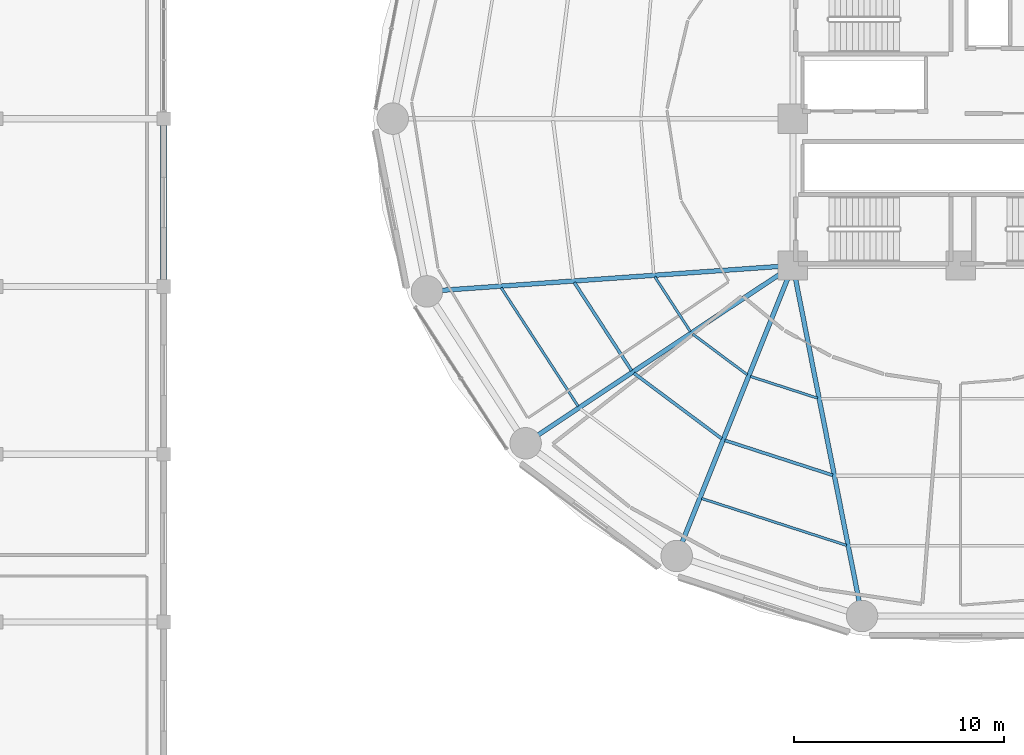
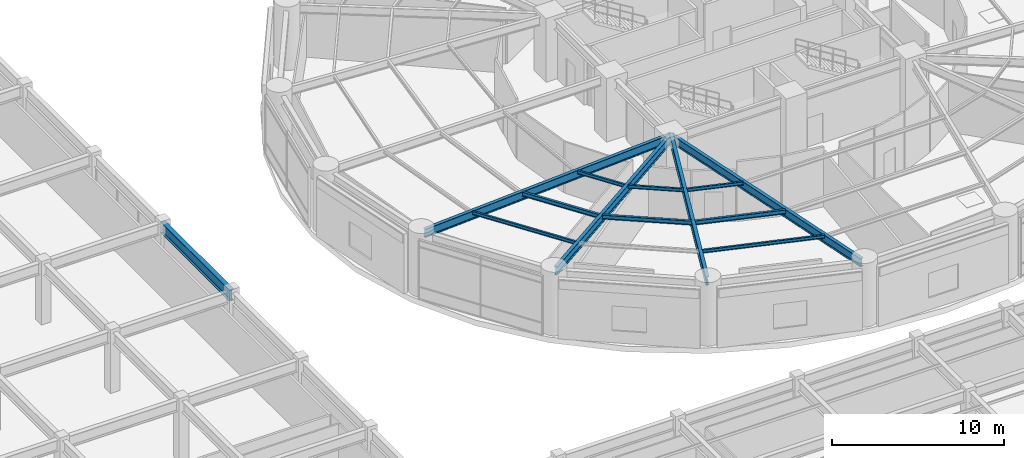
# One storey, part 10 of 46: 13 beams.
"""IFC4 building model written with IfcOpenShell, lengths in metres."""

from ifc_helpers import new_model, si_unit, direction, frame, origin, origin_2d, place, context, subcontext, project, spatial, i_section, extrude, material, material_profile, profile_set, type_object, element, save


model = new_model("IFC4")

# Units and contexts
model_context = context("Model", 3, precision=1e-05, world=origin(), true_north=direction((0.0, 1.0)))
body_context = subcontext(model_context, "Body", "Model", "MODEL_VIEW")
ifc_project = project(units=[si_unit("LENGTHUNIT", "METRE"), si_unit("AREAUNIT", "SQUARE_METRE"), si_unit("VOLUMEUNIT", "CUBIC_METRE"), si_unit("PLANEANGLEUNIT", "RADIAN"), si_unit("MASSUNIT", "GRAM", prefix="KILO")], contexts=[model_context])

# Site, building, storey
site_placement = place(None, origin())
site = spatial("IfcSite", under=ifc_project, at=site_placement, CompositionType="ELEMENT")
building_placement = place(site_placement, origin())
building = spatial("IfcBuilding", under=site, at=building_placement, Name="Kelanora Arch Commons", CompositionType="ELEMENT")
storey_placement = place(building_placement, frame((0.0, 0.0, 18.0)))
storey = spatial("IfcBuildingStorey", under=building, at=storey_placement, Name="L04", CompositionType="ELEMENT", Elevation=18.0)

# Beams
ifc_material = material(Name="Steel S355", Category="steel")
ifc_material_profile_1 = material_profile(ifc_material, i_section(OverallWidth=0.14990234375, OverallDepth=0.300048828125, WebThickness=0.007080078125, FlangeThickness=0.0107421875, FilletRadius=0.014892578125, at=origin_2d()), Name="IPE300")
ifc_profile_set_1 = profile_set([ifc_material_profile_1], Name="Steel S355")
beam_type_1 = type_object("IfcBeamType", Name="BM-JST-01", PredefinedType="JOIST", material=ifc_profile_set_1)
beam_1_placement = place(storey_placement, frame((55.578125, 50.187255859375, 4.090087890625), z_axis=(0.544551588245, -0.838727350061, 0.0), x_axis=(0.838727350061, 0.544551588245, 0.0)))
element("IfcBeam", 1, at=beam_1_placement, inside=storey, type_object=beam_type_1, Name="Secondary Chord Joist BJB-20 L04", PredefinedType="JOIST", context=body_context, shape_type="SweptSolid", body=[
    extrude(i_section(OverallWidth=0.14990234375, OverallDepth=0.300048828125, WebThickness=0.007080078125, FlangeThickness=0.0107421875, FilletRadius=0.014892578125, at=origin_2d()), origin(), (0.0, 0.0, 1.0), 5.010986328125),
])
beam_2_placement = place(storey_placement, frame((58.42138671875, 45.8623046875, 4.090087890625), z_axis=(0.801478251559, -0.598023922831, 0.0), x_axis=(0.598023922831, 0.801478251559, 0.0)))
element("IfcBeam", 2, at=beam_2_placement, inside=storey, type_object=beam_type_1, Name="Secondary Chord Joist BJB-22 L04", PredefinedType="JOIST", context=body_context, shape_type="SweptSolid", body=[
    extrude(i_section(OverallWidth=0.14990234375, OverallDepth=0.300048828125, WebThickness=0.007080078125, FlangeThickness=0.0107421875, FilletRadius=0.014892578125, at=origin_2d()), origin(), (0.0, 0.0, 1.0), 5.223388671875),
])
beam_3_placement = place(storey_placement, frame((62.7568359375, 42.66162109375, 4.090087890625), z_axis=(0.951412209627, -0.307920131482, 0.0), x_axis=(0.307920131482, 0.951412209627, 0.0)))
element("IfcBeam", 3, at=beam_3_placement, inside=storey, type_object=beam_type_1, Name="Secondary Chord Joist BJB-24 L04", PredefinedType="JOIST", context=body_context, shape_type="SweptSolid", body=[
    extrude(i_section(OverallWidth=0.14990234375, OverallDepth=0.300048828125, WebThickness=0.007080078125, FlangeThickness=0.0107421875, FilletRadius=0.014892578125, at=origin_2d()), origin(), (0.0, 0.0, 1.0), 5.4033203125),
])
ifc_material_profile_2 = material_profile(ifc_material, i_section(OverallWidth=0.1201171875, OverallDepth=0.239990234375, WebThickness=0.006103515625, FlangeThickness=0.009765625, FilletRadius=0.014892578125, at=origin_2d()), Name="IPE240")
ifc_profile_set_2 = profile_set([ifc_material_profile_2], Name="Steel S355")
beam_type_2 = type_object("IfcBeamType", Name="BM-JST-02", PredefinedType="JOIST", material=ifc_profile_set_2)
beam_4_placement = place(storey_placement, frame((59.41650390625, 50.458984375, 4.1201171875), z_axis=(0.544591105858, -0.838701691557, 0.0), x_axis=(0.838701691557, 0.544591105858, 0.0)))
element("IfcBeam", 4, at=beam_4_placement, inside=storey, type_object=beam_type_2, Name="Secondary Chord Joist BJA-20 L04", PredefinedType="JOIST", context=body_context, shape_type="SweptSolid", body=[
    extrude(i_section(OverallWidth=0.1201171875, OverallDepth=0.239990234375, WebThickness=0.006103515625, FlangeThickness=0.009765625, FilletRadius=0.014892578125, at=origin_2d()), origin(), (0.0, 0.0, 1.0), 3.111328125),
])
beam_5_placement = place(storey_placement, frame((52.0888671875, 49.940185546875, 4.1201171875), z_axis=(0.544550165372, -0.838728273873, 0.0), x_axis=(0.838728273873, 0.544550165372, 0.0)))
element("IfcBeam", 5, at=beam_5_placement, inside=storey, type_object=beam_type_2, Name="Secondary Chord Joist BJC-20 L04", PredefinedType="JOIST", context=body_context, shape_type="SweptSolid", body=[
    extrude(i_section(OverallWidth=0.1201171875, OverallDepth=0.239990234375, WebThickness=0.006103515625, FlangeThickness=0.009765625, FilletRadius=0.014892578125, at=origin_2d()), origin(), (0.0, 0.0, 1.0), 6.738037109375),
])
beam_6_placement = place(storey_placement, frame((61.22509765625, 47.727294921875, 4.1201171875), z_axis=(0.801513822608, -0.59797624716, 0.0), x_axis=(0.59797624716, 0.801513822608, 0.0)))
element("IfcBeam", 6, at=beam_6_placement, inside=storey, type_object=beam_type_2, Name="Secondary Chord Joist BJA-22 L04", PredefinedType="JOIST", context=body_context, shape_type="SweptSolid", body=[
    extrude(i_section(OverallWidth=0.1201171875, OverallDepth=0.239990234375, WebThickness=0.006103515625, FlangeThickness=0.009765625, FilletRadius=0.014892578125, at=origin_2d()), origin(), (0.0, 0.0, 1.0), 3.245849609375),
])
beam_7_placement = place(storey_placement, frame((63.9755859375, 45.709228515625, 4.1201171875), z_axis=(0.951422608074, -0.30788800049, 0.0), x_axis=(0.30788800049, 0.951422608074, 0.0)))
element("IfcBeam", 7, at=beam_7_placement, inside=storey, type_object=beam_type_2, Name="Secondary Chord Joist BJA-24 L04", PredefinedType="JOIST", context=body_context, shape_type="SweptSolid", body=[
    extrude(i_section(OverallWidth=0.1201171875, OverallDepth=0.239990234375, WebThickness=0.006103515625, FlangeThickness=0.009765625, FilletRadius=0.014892578125, at=origin_2d()), origin(), (0.0, 0.0, 1.0), 3.359619140625),
])
beam_8_placement = place(storey_placement, frame((61.64892578125, 39.890625, 4.1201171875), z_axis=(0.951410915705, -0.307924129418, 0.0), x_axis=(0.307924129418, 0.951410915705, 0.0)))
element("IfcBeam", 8, at=beam_8_placement, inside=storey, type_object=beam_type_2, Name="Secondary Chord Joist BJC-24 L04", PredefinedType="JOIST", context=body_context, shape_type="SweptSolid", body=[
    extrude(i_section(OverallWidth=0.1201171875, OverallDepth=0.239990234375, WebThickness=0.006103515625, FlangeThickness=0.009765625, FilletRadius=0.014892578125, at=origin_2d()), origin(), (0.0, 0.0, 1.0), 7.260986328125),
])
ifc_material_profile_3 = material_profile(ifc_material, i_section(OverallWidth=0.300048828125, OverallDepth=0.800048828125, WebThickness=0.017578125, FlangeThickness=0.032958984375, FilletRadius=0.030029296875, at=origin_2d()), Name="HEB800")
ifc_profile_set_3 = profile_set([ifc_material_profile_3], Name="Steel S355")
beam_type_3 = type_object("IfcBeamType", Name="BM-MKT-ROOF", PredefinedType="USERDEFINED", material=ifc_profile_set_3)
beam_9_placement = place(storey_placement, frame((36.0, 50.0, 3.860107421875), z_axis=(0.0, 1.0, 0.0), x_axis=(-1.0, 0.0, 0.0)))
element("IfcBeam", 9, at=beam_9_placement, inside=storey, type_object=beam_type_3, Name="Market/Basement Frame Beam 090 L04", ObjectType="TRANSFER_GIRDER", PredefinedType="USERDEFINED", context=body_context, shape_type="SweptSolid", body=[
    extrude(i_section(OverallWidth=0.300048828125, OverallDepth=0.800048828125, WebThickness=0.017578125, FlangeThickness=0.032958984375, FilletRadius=0.030029296875, at=origin_2d()), origin(), (0.0, 0.0, 1.0), 8.0),
])
ifc_material_profile_4 = material_profile(ifc_material, i_section(OverallWidth=0.219970703125, OverallDepth=0.60009765625, WebThickness=0.011962890625, FlangeThickness=0.01904296875, FilletRadius=0.02392578125, at=origin_2d()), Name="IPE600")
ifc_profile_set_4 = profile_set([ifc_material_profile_4], Name="Steel S355")
beam_type_4 = type_object("IfcBeamType", Name="BM-RAD-Z1", PredefinedType="BEAM", material=ifc_profile_set_4)
beam_10_placement = place(storey_placement, frame((66.0, 51.0, 3.93994140625), z_axis=(-0.997500932078, -0.070653312055, 0.0), x_axis=(0.070653312055, -0.997500932078, 0.0)))
element("IfcBeam", 10, at=beam_10_placement, inside=storey, type_object=beam_type_4, Name="Radial Floor Girder BR-20 L04", PredefinedType="BEAM", context=body_context, shape_type="SweptSolid", body=[
    extrude(i_section(OverallWidth=0.219970703125, OverallDepth=0.60009765625, WebThickness=0.011962890625, FlangeThickness=0.01904296875, FilletRadius=0.02392578125, at=origin_2d()), origin(), (0.0, 0.0, 1.0), 17.2705078125),
])
beam_11_placement = place(storey_placement, frame((66.0, 51.0, 3.93994140625), z_axis=(-0.832592623638, -0.553885839379, 0.0), x_axis=(0.553885839379, -0.832592623638, 0.0)))
element("IfcBeam", 11, at=beam_11_placement, inside=storey, type_object=beam_type_4, Name="Radial Floor Girder BR-22 L04", PredefinedType="BEAM", context=body_context, shape_type="SweptSolid", body=[
    extrude(i_section(OverallWidth=0.219970703125, OverallDepth=0.60009765625, WebThickness=0.011962890625, FlangeThickness=0.01904296875, FilletRadius=0.02392578125, at=origin_2d()), origin(), (0.0, 0.0, 1.0), 15.0869140625),
])
beam_12_placement = place(storey_placement, frame((66.0, 51.0, 3.93994140625), z_axis=(-0.371296182896, -0.928514482691, 0.0), x_axis=(0.928514482691, -0.371296182896, 0.0)))
element("IfcBeam", 12, at=beam_12_placement, inside=storey, type_object=beam_type_4, Name="Radial Floor Girder BR-24 L04", PredefinedType="BEAM", context=body_context, shape_type="SweptSolid", body=[
    extrude(i_section(OverallWidth=0.219970703125, OverallDepth=0.60009765625, WebThickness=0.011962890625, FlangeThickness=0.01904296875, FilletRadius=0.02392578125, at=origin_2d()), origin(), (0.0, 0.0, 1.0), 14.700439453125),
])
beam_13_placement = place(storey_placement, frame((66.0, 51.0, 3.93994140625), z_axis=(0.193555256292, -0.981089375522, 0.0), x_axis=(0.981089375522, 0.193555256292, 0.0)))
element("IfcBeam", 13, at=beam_13_placement, inside=storey, type_object=beam_type_4, Name="Radial Floor Girder BR-26 L04", PredefinedType="BEAM", context=body_context, shape_type="SweptSolid", body=[
    extrude(i_section(OverallWidth=0.219970703125, OverallDepth=0.60009765625, WebThickness=0.011962890625, FlangeThickness=0.01904296875, FilletRadius=0.02392578125, at=origin_2d()), origin(), (0.0, 0.0, 1.0), 16.81640625),
])

save(model, "model.ifc")
